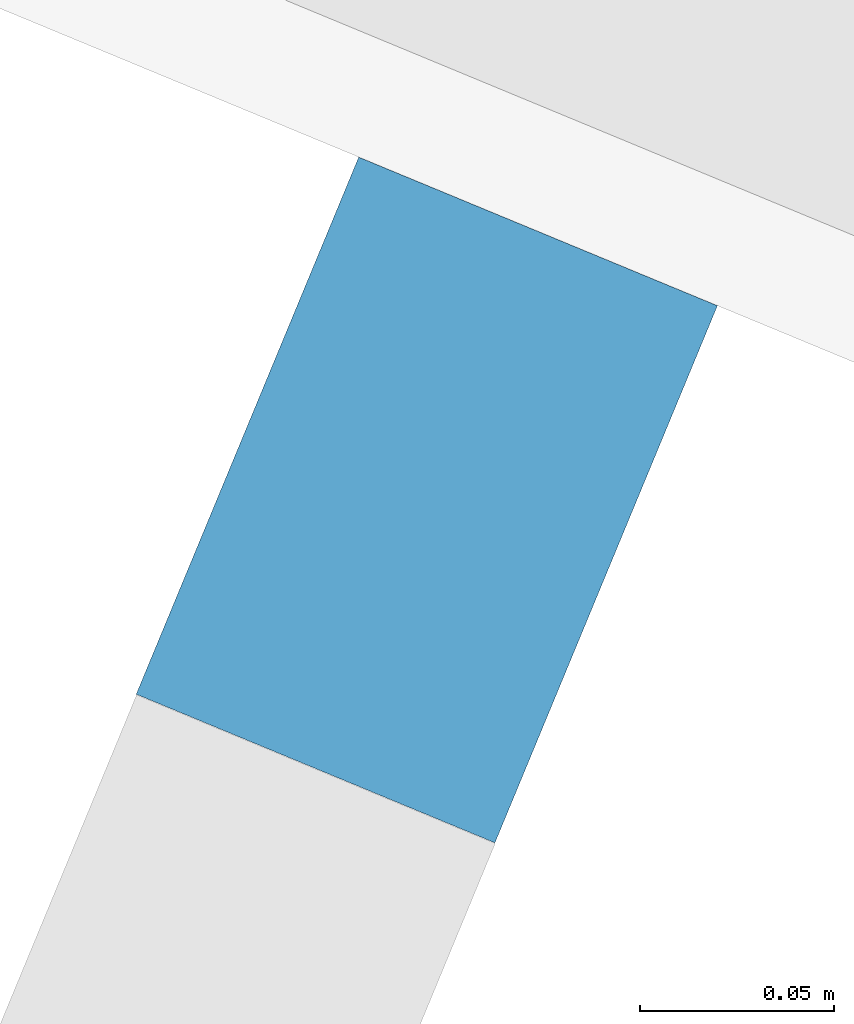
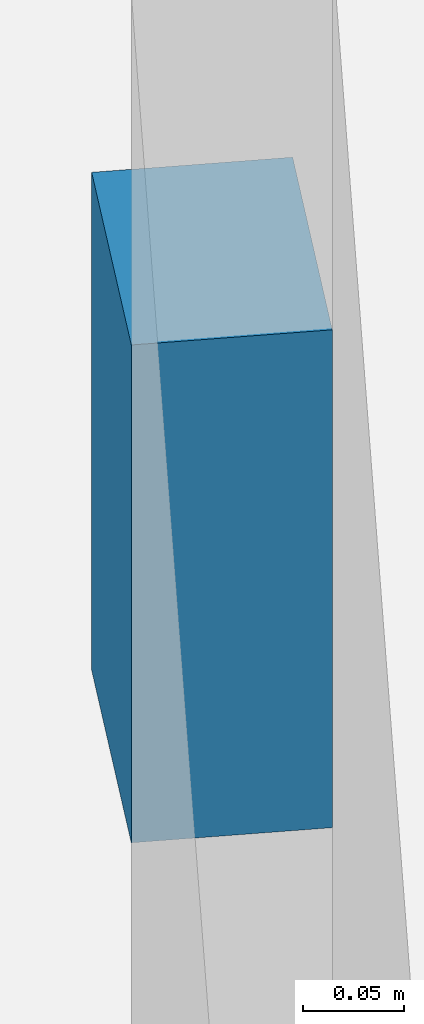
# One storey, part 9 of 30: 1 discrete accessory.
"""IFC4 building model written with IfcOpenShell, lengths in metres."""

from ifc_helpers import new_model, si_unit, direction, frame, origin, origin_2d, place, context, subcontext, project, spatial, rectangle, extrude, material, type_object, element, save


model = new_model("IFC4")

# Units and contexts
model_context = context("Model", 3, precision=1e-05, world=origin(), true_north=direction((0.0, 1.0)))
body_context = subcontext(model_context, "Body", "Model", "MODEL_VIEW")
ifc_project = project(units=[si_unit("LENGTHUNIT", "METRE"), si_unit("AREAUNIT", "SQUARE_METRE"), si_unit("VOLUMEUNIT", "CUBIC_METRE"), si_unit("PLANEANGLEUNIT", "RADIAN"), si_unit("MASSUNIT", "GRAM", prefix="KILO")], contexts=[model_context])

# Site, building, storey
site_placement = place(None, origin())
site = spatial("IfcSite", under=ifc_project, at=site_placement, CompositionType="ELEMENT")
building_placement = place(site_placement, origin())
building = spatial("IfcBuilding", under=site, at=building_placement, Name="Qamariyya Broadcast Tower", CompositionType="ELEMENT")
storey_placement = place(building_placement, frame((0.0, 0.0, 102.5)))
storey = spatial("IfcBuildingStorey", under=building, at=storey_placement, Name="L22", CompositionType="ELEMENT", Elevation=102.5)

# Discrete accessory
ifc_material = material(Name="Stainless steel 316", Category="steel")
discrete_accessory_type = type_object("IfcDiscreteAccessoryType", Name="Slab edge fixing angle, stainless steel", PredefinedType="BRACKET", material=ifc_material)
discrete_accessory_placement = place(storey_placement, frame((-33.904296875, -71.6875, 3.2998046875), z_axis=(0.0, 0.0, 1.0), x_axis=(0.923879532511, -0.382683432365, 0.0)))
element("IfcDiscreteAccessory", 1, at=discrete_accessory_placement, inside=storey, type_object=discrete_accessory_type, Name="e-br-L22-06-0", PredefinedType="BRACKET", context=body_context, shape_type="SweptSolid", body=[
    extrude(rectangle(XDim=0.10009765625, YDim=0.14990234375, at=origin_2d()), origin(), (0.0, 0.0, 1.0), 0.300048828125),
])

save(model, "model.ifc")
